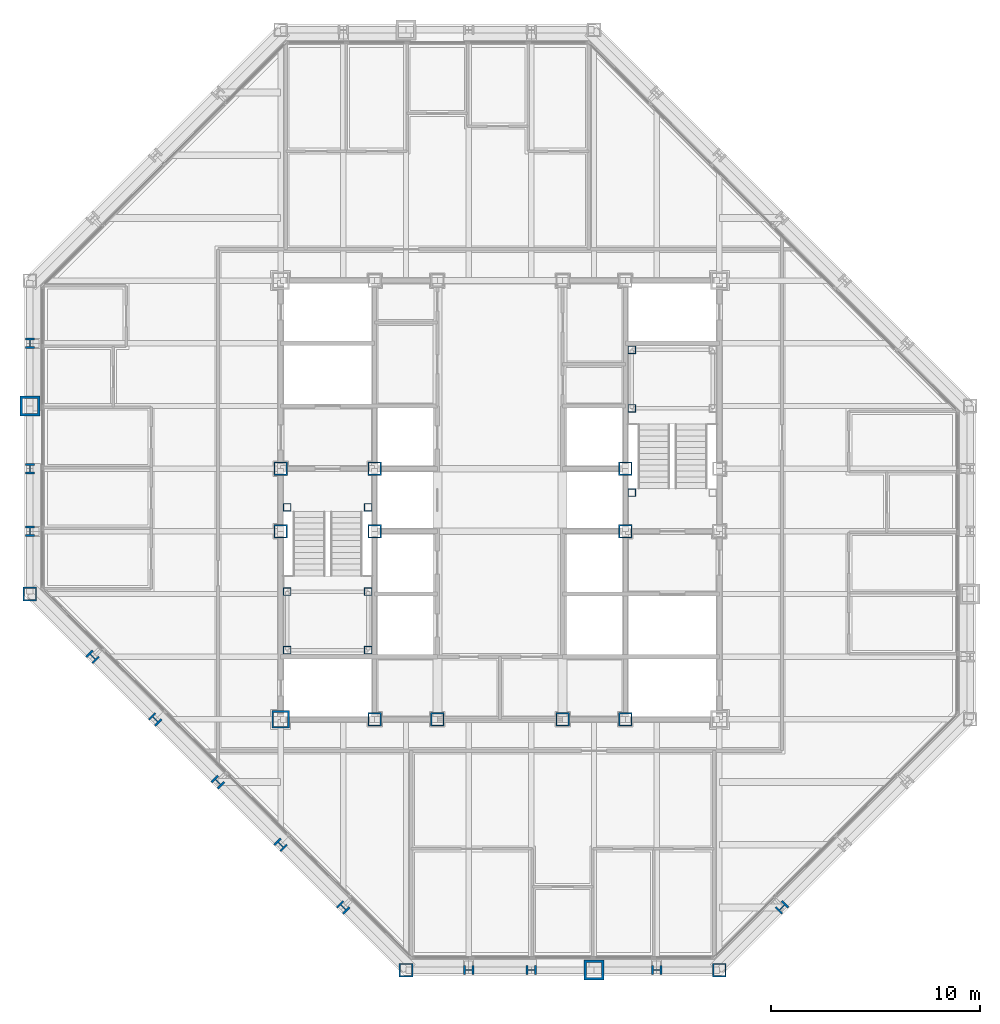
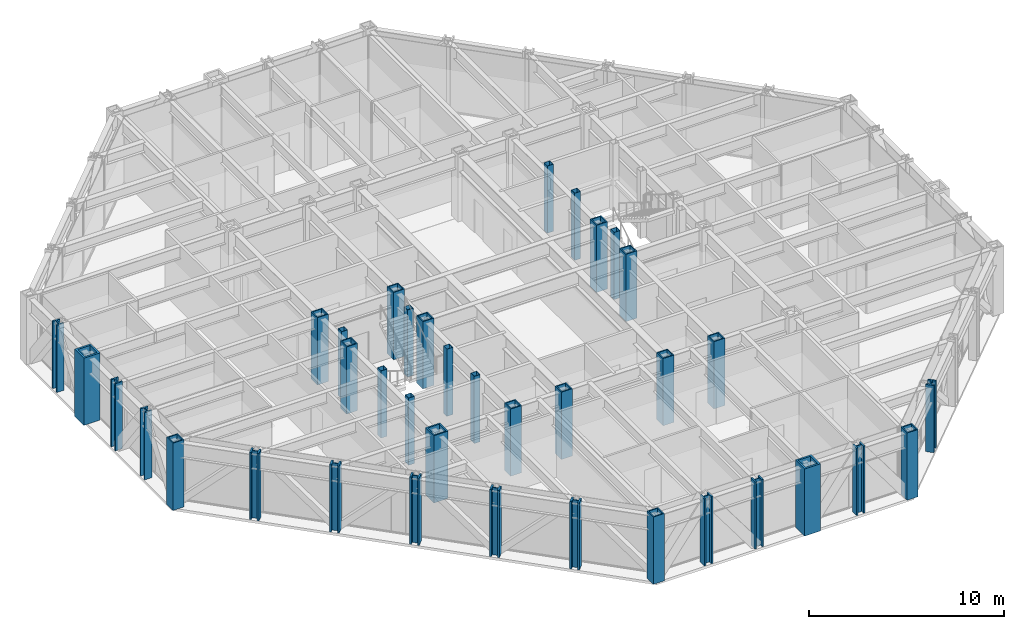
# One storey, part 1 of 15: 37 columns.
"""IFC4 building model written with IfcOpenShell, lengths in metres."""

from ifc_helpers import new_model, si_unit, direction, frame, origin, origin_2d, place, context, subcontext, project, spatial, hollow_rectangle, i_section, extrude, material, material_profile, profile_set, type_object, element, save


model = new_model("IFC4")

# Units and contexts
model_context = context("Model", 3, precision=1e-05, world=origin(), true_north=direction((0.0, 1.0)))
body_context = subcontext(model_context, "Body", "Model", "MODEL_VIEW")
ifc_project = project(units=[si_unit("LENGTHUNIT", "METRE"), si_unit("AREAUNIT", "SQUARE_METRE"), si_unit("VOLUMEUNIT", "CUBIC_METRE"), si_unit("PLANEANGLEUNIT", "RADIAN"), si_unit("MASSUNIT", "GRAM", prefix="KILO")], contexts=[model_context])

# Site, building, storey
site_placement = place(None, origin())
site = spatial("IfcSite", under=ifc_project, at=site_placement, CompositionType="ELEMENT")
building_placement = place(site_placement, origin())
building = spatial("IfcBuilding", under=site, at=building_placement, Name="Chuquiago Exchange Tower", CompositionType="ELEMENT")
storey_placement = place(building_placement, frame((0.0, 0.0, 197.10009765625)))
storey = spatial("IfcBuildingStorey", under=building, at=storey_placement, Name="L43", CompositionType="ELEMENT", Elevation=197.10009765625)

# Columns
ifc_material_1 = material(Name="Steel ASTM A992", Category="steel")
ifc_material_profile_1 = material_profile(ifc_material_1, i_section(OverallWidth=0.431884765625, OverallDepth=0.497802734375, WebThickness=0.0556640625, FlangeThickness=0.0888671875, at=origin_2d()), Name="W14X500")
ifc_profile_set_1 = profile_set([ifc_material_profile_1], Name="Steel ASTM A992")
column_type_1 = type_object("IfcColumnType", Name="C4 W14X500", PredefinedType="COLUMN", material=ifc_profile_set_1)
for number, where, z_axis, x_axis, name in (
    (1, (21.0, 0.0, 0.0), (0.0, 0.0, 1.0), (0.0, -1.0, 0.0), "COL-L43-21_0"),
    (2, (24.0, 0.0, 0.0), (0.0, 0.0, 1.0), (0.0, -1.0, 0.0), "COL-L43-24_0"),
    (3, (30.0, 0.0, 0.0), (0.0, 0.0, 1.0), (0.0, -1.0, 0.0), "COL-L43-30_0"),
    (4, (0.0, 30.0, 0.0), (0.0, 0.0, 1.0), (-1.0, 0.0, 0.0), "COL-L43-0_30"),
    (5, (0.0, 24.0, 0.0), (0.0, 0.0, 1.0), (-1.0, 0.0, 0.0), "COL-L43-0_24"),
    (6, (0.0, 21.0, 0.0), (0.0, 0.0, 1.0), (-1.0, 0.0, 0.0), "COL-L43-0_21"),
):
    element("IfcColumn", number, at=place(storey_placement, frame(where, z_axis=z_axis, x_axis=x_axis)), inside=storey, type_object=column_type_1, Name=name, PredefinedType="COLUMN", context=body_context, shape_type="SweptSolid", body=[
        extrude(i_section(OverallWidth=0.431884765625, OverallDepth=0.497802734375, WebThickness=0.0556640625, FlangeThickness=0.0888671875, at=origin_2d()), origin(), (0.0, 0.0, 1.0), 4.199951171875),
    ])
ifc_material_2 = material(Name="Steel ASTM A572 Grade 50", Category="steel")
ifc_material_profile_2 = material_profile(ifc_material_2, hollow_rectangle(XDim=0.64990234375, YDim=0.64990234375, WallThickness=0.06494140625, at=origin_2d()), Name="BOX650X650X65")
ifc_profile_set_2 = profile_set([ifc_material_profile_2], Name="Steel ASTM A572 Grade 50")
column_type_2 = type_object("IfcColumnType", Name="CC4 BOX650X650X65", PredefinedType="COLUMN", material=ifc_profile_set_2)
for number, where, z_axis, x_axis, name in (
    (7, (16.5, 12.0, 0.0), (0.0, 0.0, 1.0), (1.0, 0.0, 0.0), "CCOL-L43-16.5_12"),
    (8, (19.5, 12.0, 0.0), (0.0, 0.0, 1.0), (1.0, 0.0, 0.0), "CCOL-L43-19.5_12"),
    (9, (25.5, 12.0, 0.0), (0.0, 0.0, 1.0), (1.0, 0.0, 0.0), "CCOL-L43-25.5_12"),
    (10, (28.5, 12.0, 0.0), (0.0, 0.0, 1.0), (1.0, 0.0, 0.0), "CCOL-L43-28.5_12"),
    (11, (12.0, 21.0, 0.0), (0.0, 0.0, 1.0), (1.0, 0.0, 0.0), "CCOL-L43-12_21"),
    (12, (12.0, 24.0, 0.0), (0.0, 0.0, 1.0), (1.0, 0.0, 0.0), "CCOL-L43-12_24"),
    (13, (16.5, 21.0, 0.0), (0.0, 0.0, 1.0), (1.0, 0.0, 0.0), "CCOL-L43-16.5_21"),
    (14, (16.5, 24.0, 0.0), (0.0, 0.0, 1.0), (1.0, 0.0, 0.0), "CCOL-L43-16.5_24"),
    (15, (28.5, 21.0, 0.0), (0.0, 0.0, 1.0), (1.0, 0.0, 0.0), "CCOL-L43-28.5_21"),
    (16, (28.5, 24.0, 0.0), (0.0, 0.0, 1.0), (1.0, 0.0, 0.0), "CCOL-L43-28.5_24"),
):
    element("IfcColumn", number, at=place(storey_placement, frame(where, z_axis=z_axis, x_axis=x_axis)), inside=storey, type_object=column_type_2, Name=name, PredefinedType="COLUMN", context=body_context, shape_type="SweptSolid", body=[
        extrude(hollow_rectangle(XDim=0.64990234375, YDim=0.64990234375, WallThickness=0.06494140625, at=origin_2d()), origin(), (0.0, 0.0, 1.0), 4.199951171875),
    ])
ifc_material_3 = material(Name="Steel ASTM A572 Grade 50", Category="steel")
ifc_material_profile_3 = material_profile(ifc_material_3, hollow_rectangle(XDim=0.85009765625, YDim=0.85009765625, WallThickness=0.0849609375, at=origin_2d()), Name="BOX850X850X85")
ifc_profile_set_3 = profile_set([ifc_material_profile_3], Name="Steel ASTM A572 Grade 50")
column_type_3 = type_object("IfcColumnType", Name="CC6 BOX850X850X85", PredefinedType="COLUMN", material=ifc_profile_set_3)
column_placement = place(storey_placement, frame((12.0, 12.0, 0.0), z_axis=(0.0, 0.0, 1.0), x_axis=(1.0, 0.0, 0.0)))
element("IfcColumn", 17, at=column_placement, inside=storey, type_object=column_type_3, Name="CCOL-L43-12_12", PredefinedType="COLUMN", context=body_context, shape_type="SweptSolid", body=[
    extrude(hollow_rectangle(XDim=0.85009765625, YDim=0.85009765625, WallThickness=0.0849609375, at=origin_2d()), origin(), (0.0, 0.0, 1.0), 4.199951171875),
])
ifc_material_4 = material(Name="Steel ASTM A992", Category="steel")
ifc_material_profile_4 = material_profile(ifc_material_4, i_section(OverallWidth=0.436767578125, OverallDepth=0.51318359375, WebThickness=0.060546875, FlangeThickness=0.096923828125, at=origin_2d()), Name="W14X550")
ifc_profile_set_4 = profile_set([ifc_material_profile_4], Name="Steel ASTM A992")
column_type_4 = type_object("IfcColumnType", Name="CK4 W14X550", PredefinedType="COLUMN", material=ifc_profile_set_4)
for number, where, z_axis, x_axis, name in (
    (18, (36.0, 3.0, 0.0), (0.0, 0.0, 1.0), (0.707106781187, -0.707106781187, 0.0), "COL-L43-36_3"),
    (19, (3.0, 15.0, 0.0), (0.0, 0.0, 1.0), (-0.707106781187, -0.707106781187, 0.0), "COL-L43-3_15"),
    (20, (6.0, 12.0, 0.0), (0.0, 0.0, 1.0), (-0.707106781187, -0.707106781187, 0.0), "COL-L43-6_12"),
    (21, (9.0, 9.0, 0.0), (0.0, 0.0, 1.0), (-0.707106781187, -0.707106781187, 0.0), "COL-L43-9_9"),
    (22, (12.0, 6.0, 0.0), (0.0, 0.0, 1.0), (-0.707106781187, -0.707106781187, 0.0), "COL-L43-12_6"),
    (23, (15.0, 3.0, 0.0), (0.0, 0.0, 1.0), (-0.707106781187, -0.707106781187, 0.0), "COL-L43-15_3"),
):
    element("IfcColumn", number, at=place(storey_placement, frame(where, z_axis=z_axis, x_axis=x_axis)), inside=storey, type_object=column_type_4, Name=name, PredefinedType="COLUMN", context=body_context, shape_type="SweptSolid", body=[
        extrude(i_section(OverallWidth=0.436767578125, OverallDepth=0.51318359375, WebThickness=0.060546875, FlangeThickness=0.096923828125, at=origin_2d()), origin(), (0.0, 0.0, 1.0), 4.199951171875),
    ])
ifc_material_5 = material(Name="Steel ASTM A572 Grade 50", Category="steel")
ifc_material_profile_5 = material_profile(ifc_material_5, hollow_rectangle(XDim=0.64990234375, YDim=0.64990234375, WallThickness=0.06494140625, at=origin_2d()), Name="BOX650X650X65")
ifc_profile_set_5 = profile_set([ifc_material_profile_5], Name="Steel ASTM A572 Grade 50")
column_type_5 = type_object("IfcColumnType", Name="CN2 BOX650X650X65", PredefinedType="COLUMN", material=ifc_profile_set_5)
for number, where, z_axis, x_axis, name in (
    (24, (18.0, 0.0, 0.0), (0.0, 0.0, 1.0), (0.0, -1.0, 0.0), "COL-L43-18_0"),
    (25, (33.0, 0.0, 0.0), (0.0, 0.0, 1.0), (0.0, -1.0, 0.0), "COL-L43-33_0"),
    (26, (0.0, 18.0, 0.0), (0.0, 0.0, 1.0), (-1.0, 0.0, 0.0), "COL-L43-0_18"),
):
    element("IfcColumn", number, at=place(storey_placement, frame(where, z_axis=z_axis, x_axis=x_axis)), inside=storey, type_object=column_type_5, Name=name, PredefinedType="COLUMN", context=body_context, shape_type="SweptSolid", body=[
        extrude(hollow_rectangle(XDim=0.64990234375, YDim=0.64990234375, WallThickness=0.06494140625, at=origin_2d()), origin(), (0.0, 0.0, 1.0), 4.199951171875),
    ])
ifc_material_6 = material(Name="Steel ASTM A572 Grade 42", Category="steel")
ifc_material_profile_6 = material_profile(ifc_material_6, hollow_rectangle(XDim=0.949951171875, YDim=0.949951171875, WallThickness=0.110107421875, at=origin_2d()), Name="BOX950X950X110")
ifc_profile_set_6 = profile_set([ifc_material_profile_6], Name="Steel ASTM A572 Grade 42")
column_type_6 = type_object("IfcColumnType", Name="CT1 BOX950X950X110", PredefinedType="COLUMN", material=ifc_profile_set_6)
for number, where, z_axis, x_axis, name in (
    (27, (27.0, 0.0, 0.0), (0.0, 0.0, 1.0), (0.0, -1.0, 0.0), "COL-L43-27_0"),
    (28, (0.0, 27.0, 0.0), (0.0, 0.0, 1.0), (-1.0, 0.0, 0.0), "COL-L43-0_27"),
):
    element("IfcColumn", number, at=place(storey_placement, frame(where, z_axis=z_axis, x_axis=x_axis)), inside=storey, type_object=column_type_6, Name=name, PredefinedType="COLUMN", context=body_context, shape_type="SweptSolid", body=[
        extrude(hollow_rectangle(XDim=0.949951171875, YDim=0.949951171875, WallThickness=0.110107421875, at=origin_2d()), origin(), (0.0, 0.0, 1.0), 4.199951171875),
    ])
ifc_material_7 = material(Name="Steel ASTM A500 Grade C", Category="steel")
ifc_material_profile_7 = material_profile(ifc_material_7, hollow_rectangle(XDim=0.355712890625, YDim=0.355712890625, WallThickness=0.0146484375, at=origin_2d()), Name="HSS14X14X5/8")
ifc_profile_set_7 = profile_set([ifc_material_profile_7], Name="Steel ASTM A500 Grade C")
column_type_7 = type_object("IfcColumnType", Name="PT2 HSS14X14X5/8", PredefinedType="COLUMN", material=ifc_profile_set_7)
for number, where, z_axis, x_axis, name in (
    (29, (12.31005859375, 15.31005859375, 0.0), (0.0, 0.0, 1.0), (1.0, 0.0, 0.0), "Stair ST1 L43 landing post"),
    (30, (16.18994140625, 15.31005859375, 0.0), (0.0, 0.0, 1.0), (1.0, 0.0, 0.0), "Stair ST1 L43 landing post"),
    (31, (12.31005859375, 18.110107421875, 0.0), (0.0, 0.0, 1.0), (1.0, 0.0, 0.0), "Stair ST1 L43 landing post"),
    (32, (16.18994140625, 18.110107421875, 0.0), (0.0, 0.0, 1.0), (1.0, 0.0, 0.0), "Stair ST1 L43 landing post"),
    (33, (12.31005859375, 22.14990234375, 0.0), (0.0, 0.0, 1.0), (1.0, 0.0, 0.0), "Stair ST1 L43 landing post"),
    (34, (16.18994140625, 22.14990234375, 0.0), (0.0, 0.0, 1.0), (1.0, 0.0, 0.0), "Stair ST1 L43 landing post"),
    (35, (28.81005859375, 29.68994140625, 0.0), (0.0, 0.0, 1.0), (1.0, 0.0, 0.0), "Stair ST2 L43 landing post"),
    (36, (28.81005859375, 26.889892578125, 0.0), (0.0, 0.0, 1.0), (1.0, 0.0, 0.0), "Stair ST2 L43 landing post"),
    (37, (28.81005859375, 22.85009765625, 0.0), (0.0, 0.0, 1.0), (1.0, 0.0, 0.0), "Stair ST2 L43 landing post"),
):
    element("IfcColumn", number, at=place(storey_placement, frame(where, z_axis=z_axis, x_axis=x_axis)), inside=storey, type_object=column_type_7, Name=name, PredefinedType="COLUMN", context=body_context, shape_type="SweptSolid", body=[
        extrude(hollow_rectangle(XDim=0.355712890625, YDim=0.355712890625, WallThickness=0.0146484375, at=origin_2d()), origin(), (0.0, 0.0, 1.0), 4.199951171875),
    ])

save(model, "model.ifc")
